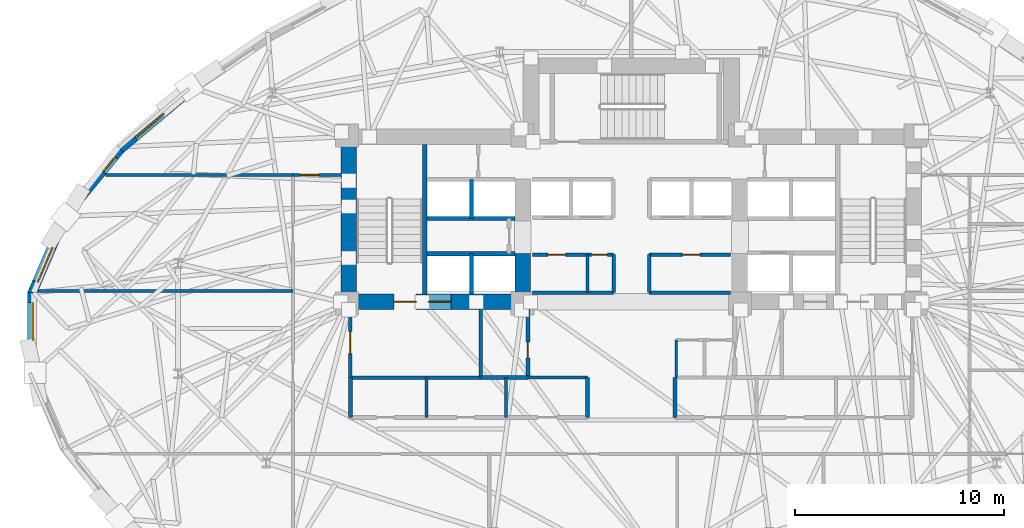
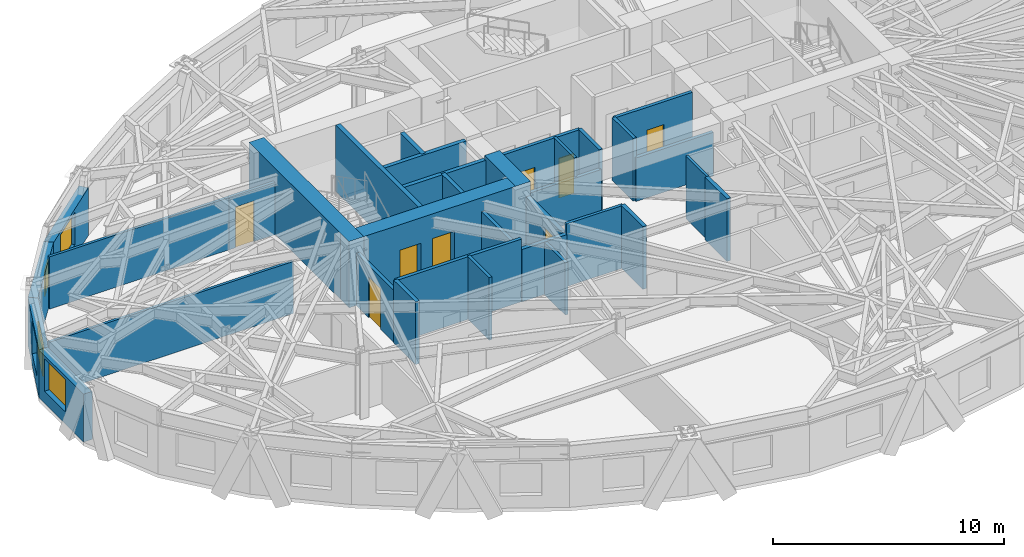
# One storey, part 7 of 14: 34 walls, 8 doors, 4 windows, 12 openings.
"""IFC4 building model written with IfcOpenShell, lengths in metres."""

from ifc_helpers import new_model, si_unit, direction, frame, frame_2d, origin, place, context, subcontext, project, spatial, rectangle, extrude, material, layer, layer_set, type_object, element, fill, save


model = new_model("IFC4")

# Units and contexts
model_context = context("Model", 3, precision=1e-05, world=origin(), true_north=direction((0.0, 1.0)))
body_context = subcontext(model_context, "Body", "Model", "MODEL_VIEW")
ifc_project = project(units=[si_unit("LENGTHUNIT", "METRE"), si_unit("AREAUNIT", "SQUARE_METRE"), si_unit("VOLUMEUNIT", "CUBIC_METRE"), si_unit("PLANEANGLEUNIT", "RADIAN"), si_unit("MASSUNIT", "GRAM", prefix="KILO")], contexts=[model_context])

# Site, building, storey
site_placement = place(None, origin())
site = spatial("IfcSite", under=ifc_project, at=site_placement, CompositionType="ELEMENT")
building_placement = place(site_placement, origin())
building = spatial("IfcBuilding", under=site, at=building_placement, Name="Keldmark Tower", CompositionType="ELEMENT")
storey_placement = place(building_placement, frame((0.0, 0.0, 89.60009765625)))
storey = spatial("IfcBuildingStorey", under=building, at=storey_placement, Name="L23", CompositionType="ELEMENT", Elevation=89.60009765625)

# Wall, opening, door
ifc_material_1 = material(Name="Acoustic Double-Layer Gypsum Corridor Partition", Category="gypsum")
ifc_layer_1 = layer(ifc_material_1, 0.139892578125)
ifc_layer_set_1 = layer_set([ifc_layer_1], Name="Acoustic Double-Layer Gypsum Corridor Partition")
wall_type_1 = type_object("IfcWallType", Name="Acoustic Corridor Partition 140 mm", PredefinedType="PARTITIONING", material=ifc_layer_set_1)
wall_1_placement = place(storey_placement, frame((-16.199951171875, 7.550048828125, 0.0), z_axis=(0.0, 0.0, 1.0), x_axis=(1.0, 0.0, 0.0)))
wall_1 = element("IfcWall", 1, at=wall_1_placement, inside=storey, type_object=wall_type_1, Name="L23 Acoustic Corridor Partition 140 mm COR-WN-CAP", PredefinedType="PARTITIONING", context=body_context, shape_type="SweptSolid", body=[
    extrude(rectangle(XDim=2.300048828125, YDim=0.139892578125, at=frame_2d((1.14990234375, 0.0))), origin(), (0.0, 0.0, 1.0), 2.762939453125),
])
opening_1_placement = place(wall_1_placement, frame((0.320068359375, 0.0, 0.0)))
opening_1 = element("IfcOpeningElement", 2, at=opening_1_placement, cuts=wall_1, Name="Opening D-EX092", PredefinedType="OPENING", context=body_context, shape_type="SweptSolid", body=[
    extrude(rectangle(XDim=0.919921875, YDim=2.14990234375, at=frame_2d((0.4599609375, 1.074951171875))), frame((0.0, 0.079833984375, 0.0), z_axis=(0.0, -1.0, 0.0), x_axis=(1.0, 0.0, 0.0)), (0.0, 0.0, 1.0), 0.159912109375),
])
ifc_material_2 = material(Name="Flush American Ash Executive Office Door", Category="wood")
door_type_1 = type_object("IfcDoorType", Name="Executive Office Door 920x2150", OperationType="NOTDEFINED", PredefinedType="DOOR", material=ifc_material_2)
door_1_placement = place(opening_1_placement, origin())
door_1 = element("IfcDoor", 3, at=door_1_placement, inside=storey, type_object=door_type_1, Name="L23 Executive Office Door 920x2150 D-NRNW-L23", OperationType="SINGLE_SWING_LEFT", OverallHeight=2.14990234375, OverallWidth=0.919921875, PredefinedType="DOOR", context=body_context, shape_type="SweptSolid", body=[
    extrude(rectangle(XDim=0.919921875, YDim=2.14990234375, at=frame_2d((0.4599609375, 1.074951171875))), frame((0.0, 0.02490234375, 0.0), z_axis=(0.0, -1.0, 0.0), x_axis=(1.0, 0.0, 0.0)), (0.0, 0.0, 1.0), 0.050048828125),
])
fill(opening_1, door_1)

# Walls
ifc_material_3 = material(Name="Heavy Acoustic Plumbing Chase Gypsum Assembly", Category="gypsum")
ifc_layer_2 = layer(ifc_material_3, 0.18994140625)
ifc_layer_set_2 = layer_set([ifc_layer_2], Name="Heavy Acoustic Plumbing Chase Gypsum Assembly")
wall_type_2 = type_object("IfcWallType", Name="Heavy Wet Wall 190 mm", PredefinedType="PLUMBINGWALL", material=ifc_layer_set_2)
for number, where, z_axis, x_axis, name in (
    (4, (-13.449951171875, -4.050048828125, 0.0), (0.0, 0.0, 1.0), (0.0, 1.0, 0.0), "L23 Heavy Wet Wall 190 mm SPK-W-W"),
    (5, (-2.10009765625, -4.050048828125, 0.0), (0.0, 0.0, 1.0), (0.0, 1.0, 0.0), "L23 Heavy Wet Wall 190 mm SPK-W-E"),
    (6, (2.10009765625, -4.050048828125, 0.0), (0.0, 0.0, 1.0), (0.0, 1.0, 0.0), "L23 Heavy Wet Wall 190 mm SPK-E-W"),
):
    element("IfcWall", number, at=place(storey_placement, frame(where, z_axis=z_axis, x_axis=x_axis)), inside=storey, type_object=wall_type_2, Name=name, PredefinedType="PLUMBINGWALL", context=body_context, shape_type="SweptSolid", body=[
        extrude(rectangle(XDim=1.900146484375, YDim=0.18994140625, at=frame_2d((0.9501953125, 0.0))), origin(), (0.0, 0.0, 1.0), 3.309814453125),
    ])
ifc_material_4 = material(Name="Acoustic Gypsum Board Interior Partition", Category="gypsum")
ifc_layer_3 = layer(ifc_material_4, 0.1298828125)
ifc_layer_set_3 = layer_set([ifc_layer_3], Name="Acoustic Gypsum Board Interior Partition")
wall_type_3 = type_object("IfcWallType", Name="Interior Partition 130 mm", PredefinedType="PARTITIONING", material=ifc_layer_set_3)
wall_2_placement = place(storey_placement, frame((2.14990234375, -2.14990234375, 0.0), z_axis=(0.0, 0.0, 1.0), x_axis=(0.0, 1.0, 0.0)))
element("IfcWall", 7, at=wall_2_placement, inside=storey, type_object=wall_type_3, Name="L23 Interior Partition 130 mm CSC-E-W", PredefinedType="PARTITIONING", context=body_context, shape_type="SweptSolid", body=[
    extrude(rectangle(XDim=1.7998046875, YDim=0.1298828125, at=frame_2d((0.89990234375, 0.0))), origin(), (0.0, 0.0, 1.0), 3.309814453125),
])
wall_3_placement = place(storey_placement, frame((-2.10009765625, 1.919921875, 0.0), z_axis=(0.0, 0.0, 1.0), x_axis=(0.0, 1.0, 0.0)))
element("IfcWall", 8, at=wall_3_placement, inside=storey, type_object=wall_type_3, Name="L23 Interior Partition 130 mm REC-LW-M", PredefinedType="PARTITIONING", context=body_context, shape_type="SweptSolid", body=[
    extrude(rectangle(XDim=1.820068359375, YDim=0.1298828125, at=frame_2d((0.91015625, 0.0))), origin(), (0.0, 0.0, 1.0), 3.309814453125),
])
wall_4_placement = place(storey_placement, frame((-25.177978515625, 7.550048828125, 0.0), z_axis=(0.0, 0.0, 1.0), x_axis=(1.0, 0.0, 0.0)))
element("IfcWall", 9, at=wall_4_placement, inside=storey, type_object=wall_type_3, Name="L23 Interior Partition 130 mm W-CAP-N", PredefinedType="PARTITIONING", context=body_context, shape_type="SweptSolid", body=[
    extrude(rectangle(XDim=8.97802734375, YDim=0.1298828125, at=frame_2d((4.489013671875, 0.0))), origin(), (0.0, 0.0, 1.0), 2.762939453125),
])
wall_5_placement = place(storey_placement, frame((-28.392333984375, 2.0, 0.0), z_axis=(0.0, 0.0, 1.0), x_axis=(1.0, 0.0, 0.0)))
element("IfcWall", 10, at=wall_5_placement, inside=storey, type_object=wall_type_3, Name="L23 Interior Partition 130 mm W-DIV-1", PredefinedType="PARTITIONING", context=body_context, shape_type="SweptSolid", body=[
    extrude(rectangle(XDim=12.1923828125, YDim=0.1298828125, at=frame_2d((6.09619140625, 0.0))), origin(), (0.0, 0.0, 1.0), 2.7509765625),
])
ifc_material_5 = material(Name="Concrete C70/85", Category="concrete")
ifc_layer_4 = layer(ifc_material_5, 0.75)
ifc_layer_set_4 = layer_set([ifc_layer_4], Name="Concrete C70/85")
wall_type_4 = type_object("IfcWallType", Name="Low-Mid Core Shear Wall 750 mm", PredefinedType="SHEAR", material=ifc_layer_set_4)
wall_6_placement = place(storey_placement, frame((-13.52490234375, 1.10009765625, 0.0), z_axis=(0.0, 0.0, 1.0), x_axis=(0.0, 1.0, 0.0)))
element("IfcWall", 11, at=wall_6_placement, inside=storey, type_object=wall_type_4, Name="L23 West Core Outer Shear Wall", PredefinedType="SHEAR", context=body_context, shape_type="SweptSolid", body=[
    extrude(rectangle(XDim=8.64990234375, YDim=0.75, at=frame_2d((4.324951171875, 0.0))), origin(), (0.0, 0.0, 1.0), 3.5),
])

# Wall, openings, doors
wall_7_placement = place(storey_placement, frame((-4.824951171875, 1.47509765625, 0.0), z_axis=(0.0, 0.0, 1.0), x_axis=(-1.0, 0.0, 0.0)))
wall_7 = element("IfcWall", 12, at=wall_7_placement, inside=storey, type_object=wall_type_4, Name="L23 West Core South Shear Wall", PredefinedType="SHEAR", context=body_context, shape_type="SweptSolid", body=[
    extrude(rectangle(XDim=9.074951171875, YDim=0.75, at=frame_2d((4.53759765625, 0.0))), origin(), (0.0, 0.0, 1.0), 3.5),
])
opening_2_placement = place(wall_7_placement, frame((5.47509765625, 0.0, 0.0)))
opening_2 = element("IfcOpeningElement", 13, at=opening_2_placement, cuts=wall_7, Name="Opening D-ST105", PredefinedType="OPENING", context=body_context, shape_type="SweptSolid", body=[
    extrude(rectangle(XDim=1.050048828125, YDim=2.14990234375, at=frame_2d((0.52490234375, 1.074951171875))), frame((0.0, 0.385009765625, 0.0), z_axis=(0.0, -1.0, 0.0), x_axis=(1.0, 0.0, 0.0)), (0.0, 0.0, 1.0), 0.77001953125),
])
opening_3_placement = place(wall_7_placement, frame((3.804931640625, 0.0, 0.0)))
opening_3 = element("IfcOpeningElement", 14, at=opening_3_placement, cuts=wall_7, Name="Opening LD-110", PredefinedType="OPENING", context=body_context, shape_type="SweptSolid", body=[
    extrude(rectangle(XDim=1.10009765625, YDim=2.199951171875, at=frame_2d((0.550048828125, 1.10009765625))), frame((0.0, 0.385009765625, 0.0), z_axis=(0.0, -1.0, 0.0), x_axis=(1.0, 0.0, 0.0)), (0.0, 0.0, 1.0), 0.77001953125),
])
ifc_material_6 = material(Name="Brushed Bronze Hoistway Sliding Leaf", Category="metal")
door_type_2 = type_object("IfcDoorType", Name="Lift Landing Sliding Door 1100x2200", OperationType="SLIDING_TO_LEFT", PredefinedType="DOOR", material=ifc_material_6)
door_2_placement = place(opening_3_placement, origin())
door_2 = element("IfcDoor", 15, at=door_2_placement, inside=storey, type_object=door_type_2, Name="L23 Lift Landing Sliding Door 1100x2200 LD-EL-FS1-L23", OperationType="SLIDING_TO_LEFT", OverallHeight=2.199951171875, OverallWidth=1.10009765625, PredefinedType="DOOR", context=body_context, shape_type="SweptSolid", body=[
    extrude(rectangle(XDim=1.10009765625, YDim=2.199951171875, at=frame_2d((0.550048828125, 1.10009765625))), frame((0.0, 0.02490234375, 0.0), z_axis=(0.0, -1.0, 0.0), x_axis=(1.0, 0.0, 0.0)), (0.0, 0.0, 1.0), 0.050048828125),
])
fill(opening_3, door_2)
ifc_material_7 = material(Name="Hollow Metal Fire-Rated Door Assembly", Category="metal")
door_type_3 = type_object("IfcDoorType", Name="Stair Fire Door 1050x2150", OperationType="NOTDEFINED", PredefinedType="DOOR", material=ifc_material_7)
door_3_placement = place(opening_2_placement, origin())
door_3 = element("IfcDoor", 16, at=door_3_placement, inside=storey, type_object=door_type_3, Name="L23 Stair Fire Door 1050x2150 D-ST1-L23", OperationType="SINGLE_SWING_RIGHT", OverallHeight=2.14990234375, OverallWidth=1.050048828125, PredefinedType="DOOR", context=body_context, shape_type="SweptSolid", body=[
    extrude(rectangle(XDim=1.050048828125, YDim=2.14990234375, at=frame_2d((0.52490234375, 1.074951171875))), frame((0.0, 0.02490234375, 0.0), z_axis=(0.0, -1.0, 0.0), x_axis=(1.0, 0.0, 0.0)), (0.0, 0.0, 1.0), 0.050048828125),
])
fill(opening_2, door_3)

# Walls
wall_8_placement = place(storey_placement, frame((-5.199951171875, 1.10009765625, 0.0), z_axis=(0.0, 0.0, 1.0), x_axis=(0.0, 1.0, 0.0)))
element("IfcWall", 17, at=wall_8_placement, inside=storey, type_object=wall_type_4, Name="L23 West Core Inner Shear Pier South", PredefinedType="SHEAR", context=body_context, shape_type="SweptSolid", body=[
    extrude(rectangle(XDim=2.699951171875, YDim=0.75, at=frame_2d((1.35009765625, 0.0))), origin(), (0.0, 0.0, 1.0), 3.5),
])
ifc_material_8 = material(Name="Type X Fire-Rated Gypsum Partition Assembly", Category="gypsum")
ifc_layer_5 = layer(ifc_material_8, 0.1650390625)
ifc_layer_set_5 = layer_set([ifc_layer_5], Name="Type X Fire-Rated Gypsum Partition Assembly")
wall_type_5 = type_object("IfcWallType", Name="Rated Partition 165 mm", PredefinedType="PARTITIONING", material=ifc_layer_set_5)
wall_9_placement = place(storey_placement, frame((-13.449951171875, -2.14990234375, 0.0), z_axis=(0.0, 0.0, 1.0), x_axis=(1.0, 0.0, 0.0)))
element("IfcWall", 18, at=wall_9_placement, inside=storey, type_object=wall_type_5, Name="L23 Rated Partition 165 mm FSAE-W-S", PredefinedType="PARTITIONING", context=body_context, shape_type="SweptSolid", body=[
    extrude(rectangle(XDim=6.25, YDim=0.1650390625, at=frame_2d((3.125, 0.0))), origin(), (0.0, 0.0, 1.0), 3.309814453125),
])

# Wall, opening, door
wall_10_placement = place(storey_placement, frame((-13.449951171875, -2.14990234375, 0.0), z_axis=(0.0, 0.0, 1.0), x_axis=(0.0, 1.0, 0.0)))
wall_10 = element("IfcWall", 19, at=wall_10_placement, inside=storey, type_object=wall_type_5, Name="L23 Rated Partition 165 mm FSAE-W-W", PredefinedType="PARTITIONING", context=body_context, shape_type="SweptSolid", body=[
    extrude(rectangle(XDim=3.2998046875, YDim=0.1650390625, at=frame_2d((1.64990234375, 0.0))), origin(), (0.0, 0.0, 1.0), 2.762939453125),
])
opening_4_placement = place(wall_10_placement, frame((1.14990234375, 0.0, 0.0)))
opening_4 = element("IfcOpeningElement", 20, at=opening_4_placement, cuts=wall_10, Name="Opening D-FL105", PredefinedType="OPENING", context=body_context, shape_type="SweptSolid", body=[
    extrude(rectangle(XDim=1.050048828125, YDim=2.14990234375, at=frame_2d((0.52490234375, 1.074951171875))), frame((0.0, 0.092529296875, 0.0), z_axis=(0.0, -1.0, 0.0), x_axis=(1.0, 0.0, 0.0)), (0.0, 0.0, 1.0), 0.18505859375),
])
ifc_material_9 = material(Name="Fire-Rated Mineral-Core Door and Vision Lite", Category="metal")
door_type_4 = type_object("IfcDoorType", Name="Fire Lobby Door 1050x2150", OperationType="NOTDEFINED", PredefinedType="DOOR", material=ifc_material_9)
door_4_placement = place(opening_4_placement, origin())
door_4 = element("IfcDoor", 21, at=door_4_placement, inside=storey, type_object=door_type_4, Name="L23 Fire Lobby Door 1050x2150 D-FSAEW-OUT-L23", OperationType="SINGLE_SWING_LEFT", OverallHeight=2.14990234375, OverallWidth=1.050048828125, PredefinedType="DOOR", context=body_context, shape_type="SweptSolid", body=[
    extrude(rectangle(XDim=1.050048828125, YDim=2.14990234375, at=frame_2d((0.52490234375, 1.074951171875))), frame((0.0, 0.02490234375, 0.0), z_axis=(0.0, -1.0, 0.0), x_axis=(1.0, 0.0, 0.0)), (0.0, 0.0, 1.0), 0.050048828125),
])
fill(opening_4, door_4)

# Walls
wall_11_placement = place(storey_placement, frame((-7.199951171875, -2.14990234375, 0.0), z_axis=(0.0, 0.0, 1.0), x_axis=(0.0, 1.0, 0.0)))
element("IfcWall", 22, at=wall_11_placement, inside=storey, type_object=wall_type_5, Name="L23 Rated Partition 165 mm FSAE-W-E", PredefinedType="PARTITIONING", context=body_context, shape_type="SweptSolid", body=[
    extrude(rectangle(XDim=3.2998046875, YDim=0.1650390625, at=frame_2d((1.64990234375, 0.0))), origin(), (0.0, 0.0, 1.0), 2.762939453125),
])
wall_12_placement = place(storey_placement, frame((-4.739990234375, 1.919921875, 0.0), z_axis=(0.0, 0.0, 1.0), x_axis=(1.0, 0.0, 0.0)))
element("IfcWall", 23, at=wall_12_placement, inside=storey, type_object=wall_type_5, Name="L23 Rated Partition 165 mm REC-LW-S", PredefinedType="PARTITIONING", context=body_context, shape_type="SweptSolid", body=[
    extrude(rectangle(XDim=3.889892578125, YDim=0.1650390625, at=frame_2d((1.94482421875, 0.0))), origin(), (0.0, 0.0, 1.0), 2.2998046875),
])

# Wall, openings, doors
wall_13_placement = place(storey_placement, frame((-4.739990234375, 3.739990234375, 0.0), z_axis=(0.0, 0.0, 1.0), x_axis=(1.0, 0.0, 0.0)))
wall_13 = element("IfcWall", 24, at=wall_13_placement, inside=storey, type_object=wall_type_5, Name="L23 Rated Partition 165 mm REC-LW-N", PredefinedType="PARTITIONING", context=body_context, shape_type="SweptSolid", body=[
    extrude(rectangle(XDim=3.889892578125, YDim=0.1650390625, at=frame_2d((1.94482421875, 0.0))), origin(), (0.0, 0.0, 1.0), 3.309814453125),
])
opening_5_placement = place(wall_13_placement, frame((0.75, 0.0, 0.0)))
opening_5 = element("IfcOpeningElement", 25, at=opening_5_placement, cuts=wall_13, Name="Opening D-SV085", PredefinedType="OPENING", context=body_context, shape_type="SweptSolid", body=[
    extrude(rectangle(XDim=0.85009765625, YDim=2.10009765625, at=frame_2d((0.425048828125, 1.050048828125))), frame((0.0, 0.092529296875, 0.0), z_axis=(0.0, -1.0, 0.0), x_axis=(1.0, 0.0, 0.0)), (0.0, 0.0, 1.0), 0.18505859375),
])
opening_6_placement = place(wall_13_placement, frame((2.840087890625, 0.0, 0.0)))
opening_6 = element("IfcOpeningElement", 26, at=opening_6_placement, cuts=wall_13, Name="Opening D-RS075", PredefinedType="OPENING", context=body_context, shape_type="SweptSolid", body=[
    extrude(rectangle(XDim=0.75, YDim=2.10009765625, at=frame_2d((0.375, 1.050048828125))), frame((0.0, 0.092529296875, 0.0), z_axis=(0.0, -1.0, 0.0), x_axis=(1.0, 0.0, 0.0)), (0.0, 0.0, 1.0), 0.18505859375),
])
ifc_material_10 = material(Name="Galvanized Fire-Rated Access Leaf", Category="metal")
door_type_5 = type_object("IfcDoorType", Name="Riser Access Door 750x2100", OperationType="NOTDEFINED", PredefinedType="DOOR", material=ifc_material_10)
door_5_placement = place(opening_6_placement, origin())
door_5 = element("IfcDoor", 27, at=door_5_placement, inside=storey, type_object=door_type_5, Name="L23 Riser Access Door 750x2100 D-RECLW2-L23", OperationType="SINGLE_SWING_RIGHT", OverallHeight=2.10009765625, OverallWidth=0.75, PredefinedType="DOOR", context=body_context, shape_type="SweptSolid", body=[
    extrude(rectangle(XDim=0.75, YDim=2.10009765625, at=frame_2d((0.375, 1.050048828125))), frame((0.0, 0.02490234375, 0.0), z_axis=(0.0, -1.0, 0.0), x_axis=(1.0, 0.0, 0.0)), (0.0, 0.0, 1.0), 0.050048828125),
])
fill(opening_6, door_5)
ifc_material_11 = material(Name="Painted Hollow Metal Door Assembly", Category="metal")
door_type_6 = type_object("IfcDoorType", Name="Service Door 850x2100", OperationType="NOTDEFINED", PredefinedType="DOOR", material=ifc_material_11)
door_6_placement = place(opening_5_placement, origin())
door_6 = element("IfcDoor", 28, at=door_6_placement, inside=storey, type_object=door_type_6, Name="L23 Service Door 850x2100 D-RECLW1-L23", OperationType="SINGLE_SWING_LEFT", OverallHeight=2.10009765625, OverallWidth=0.85009765625, PredefinedType="DOOR", context=body_context, shape_type="SweptSolid", body=[
    extrude(rectangle(XDim=0.85009765625, YDim=2.10009765625, at=frame_2d((0.425048828125, 1.050048828125))), frame((0.0, 0.02490234375, 0.0), z_axis=(0.0, -1.0, 0.0), x_axis=(1.0, 0.0, 0.0)), (0.0, 0.0, 1.0), 0.050048828125),
])
fill(opening_5, door_6)

# Walls
wall_14_placement = place(storey_placement, frame((-0.85009765625, 1.919921875, 0.0), z_axis=(0.0, 0.0, 1.0), x_axis=(0.0, 1.0, 0.0)))
element("IfcWall", 29, at=wall_14_placement, inside=storey, type_object=wall_type_5, Name="L23 Rated Partition 165 mm REC-LW-E", PredefinedType="PARTITIONING", context=body_context, shape_type="SweptSolid", body=[
    extrude(rectangle(XDim=1.820068359375, YDim=0.1650390625, at=frame_2d((0.91015625, 0.0))), origin(), (0.0, 0.0, 1.0), 3.309814453125),
])
wall_15_placement = place(storey_placement, frame((0.85009765625, 1.919921875, 0.0), z_axis=(0.0, 0.0, 1.0), x_axis=(1.0, 0.0, 0.0)))
element("IfcWall", 30, at=wall_15_placement, inside=storey, type_object=wall_type_5, Name="L23 Rated Partition 165 mm REC-LE-S", PredefinedType="PARTITIONING", context=body_context, shape_type="SweptSolid", body=[
    extrude(rectangle(XDim=3.889892578125, YDim=0.1650390625, at=frame_2d((1.94482421875, 0.0))), origin(), (0.0, 0.0, 1.0), 2.2998046875),
])

# Wall, opening, door
wall_16_placement = place(storey_placement, frame((0.85009765625, 3.739990234375, 0.0), z_axis=(0.0, 0.0, 1.0), x_axis=(1.0, 0.0, 0.0)))
wall_16 = element("IfcWall", 31, at=wall_16_placement, inside=storey, type_object=wall_type_5, Name="L23 Rated Partition 165 mm REC-LE-N", PredefinedType="PARTITIONING", context=body_context, shape_type="SweptSolid", body=[
    extrude(rectangle(XDim=3.889892578125, YDim=0.1650390625, at=frame_2d((1.94482421875, 0.0))), origin(), (0.0, 0.0, 1.0), 3.309814453125),
])
opening_7_placement = place(wall_16_placement, frame((1.60009765625, 0.0, 0.0)))
opening_7 = element("IfcOpeningElement", 32, at=opening_7_placement, cuts=wall_16, Name="Opening D-SV085", PredefinedType="OPENING", context=body_context, shape_type="SweptSolid", body=[
    extrude(rectangle(XDim=0.85009765625, YDim=2.10009765625, at=frame_2d((0.425048828125, 1.050048828125))), frame((0.0, 0.092529296875, 0.0), z_axis=(0.0, -1.0, 0.0), x_axis=(1.0, 0.0, 0.0)), (0.0, 0.0, 1.0), 0.18505859375),
])
door_7_placement = place(opening_7_placement, origin())
door_7 = element("IfcDoor", 33, at=door_7_placement, inside=storey, type_object=door_type_6, Name="L23 Service Door 850x2100 D-RECLE1-L23", OperationType="SINGLE_SWING_LEFT", OverallHeight=2.10009765625, OverallWidth=0.85009765625, PredefinedType="DOOR", context=body_context, shape_type="SweptSolid", body=[
    extrude(rectangle(XDim=0.85009765625, YDim=2.10009765625, at=frame_2d((0.425048828125, 1.050048828125))), frame((0.0, 0.02490234375, 0.0), z_axis=(0.0, -1.0, 0.0), x_axis=(1.0, 0.0, 0.0)), (0.0, 0.0, 1.0), 0.050048828125),
])
fill(opening_7, door_7)

# Walls
wall_17_placement = place(storey_placement, frame((0.85009765625, 1.919921875, 0.0), z_axis=(0.0, 0.0, 1.0), x_axis=(0.0, 1.0, 0.0)))
element("IfcWall", 34, at=wall_17_placement, inside=storey, type_object=wall_type_5, Name="L23 Rated Partition 165 mm REC-LE-W", PredefinedType="PARTITIONING", context=body_context, shape_type="SweptSolid", body=[
    extrude(rectangle(XDim=1.820068359375, YDim=0.1650390625, at=frame_2d((0.91015625, 0.0))), origin(), (0.0, 0.0, 1.0), 3.309814453125),
])
ifc_material_12 = material(Name="Fire-Resistant Type X Gypsum Shaftliner Coreboard", Category="gypsum")
ifc_layer_6 = layer(ifc_material_12, 0.199951171875)
ifc_layer_set_6 = layer_set([ifc_layer_6], Name="Fire-Resistant Type X Gypsum Shaftliner Coreboard")
wall_type_6 = type_object("IfcWallType", Name="Shaft Wall 200 mm", PredefinedType="SOLIDWALL", material=ifc_layer_set_6)
wall_18_placement = place(storey_placement, frame((-7.199951171875, -2.14990234375, 0.0), z_axis=(0.0, 0.0, 1.0), x_axis=(1.0, 0.0, 0.0)))
element("IfcWall", 35, at=wall_18_placement, inside=storey, type_object=wall_type_6, Name="L23 Shaft Wall 200 mm RIS-SW-S", PredefinedType="SOLIDWALL", context=body_context, shape_type="SweptSolid", body=[
    extrude(rectangle(XDim=2.25, YDim=0.199951171875, at=frame_2d((1.125, 0.0))), origin(), (0.0, 0.0, 1.0), 2.762939453125),
])

# Wall, opening, door
wall_19_placement = place(storey_placement, frame((-4.949951171875, -2.14990234375, 0.0), z_axis=(0.0, 0.0, 1.0), x_axis=(0.0, 1.0, 0.0)))
wall_19 = element("IfcWall", 36, at=wall_19_placement, inside=storey, type_object=wall_type_6, Name="L23 Shaft Wall 200 mm RIS-SW-E", PredefinedType="SOLIDWALL", context=body_context, shape_type="SweptSolid", body=[
    extrude(rectangle(XDim=3.2998046875, YDim=0.199951171875, at=frame_2d((1.64990234375, 0.0))), origin(), (0.0, 0.0, 1.0), 2.762939453125),
])
opening_8_placement = place(wall_19_placement, frame((0.949951171875, 0.0, 0.0)))
opening_8 = element("IfcOpeningElement", 37, at=opening_8_placement, cuts=wall_19, Name="Opening D-RS075", PredefinedType="OPENING", context=body_context, shape_type="SweptSolid", body=[
    extrude(rectangle(XDim=0.75, YDim=2.10009765625, at=frame_2d((0.375, 1.050048828125))), frame((0.0, 0.10986328125, 0.0), z_axis=(0.0, -1.0, 0.0), x_axis=(1.0, 0.0, 0.0)), (0.0, 0.0, 1.0), 0.219970703125),
])
door_8_placement = place(opening_8_placement, origin())
door_8 = element("IfcDoor", 38, at=door_8_placement, inside=storey, type_object=door_type_5, Name="L23 Riser Access Door 750x2100 D-RISSW-L23", OperationType="SINGLE_SWING_RIGHT", OverallHeight=2.10009765625, OverallWidth=0.75, PredefinedType="DOOR", context=body_context, shape_type="SweptSolid", body=[
    extrude(rectangle(XDim=0.75, YDim=2.10009765625, at=frame_2d((0.375, 1.050048828125))), frame((0.0, 0.02490234375, 0.0), z_axis=(0.0, -1.0, 0.0), x_axis=(1.0, 0.0, 0.0)), (0.0, 0.0, 1.0), 0.050048828125),
])
fill(opening_8, door_8)

# Walls
wall_20_placement = place(storey_placement, frame((-9.780029296875, 3.780029296875, 0.0), z_axis=(0.0, 0.0, 1.0), x_axis=(1.0, 0.0, 0.0)))
element("IfcWall", 39, at=wall_20_placement, inside=storey, type_object=wall_type_6, Name="L23 Shaft Wall 200 mm HW-W-S", PredefinedType="SOLIDWALL", context=body_context, shape_type="SweptSolid", body=[
    extrude(rectangle(XDim=4.205078125, YDim=0.199951171875, at=frame_2d((2.1025390625, 0.0))), origin(), (0.0, 0.0, 1.0), 3.309814453125),
])
wall_21_placement = place(storey_placement, frame((-7.64990234375, 1.85009765625, 0.0), z_axis=(0.0, 0.0, 1.0), x_axis=(0.0, 1.0, 0.0)))
element("IfcWall", 40, at=wall_21_placement, inside=storey, type_object=wall_type_6, Name="L23 Shaft Wall 200 mm HW-W-M", PredefinedType="SOLIDWALL", context=body_context, shape_type="SweptSolid", body=[
    extrude(rectangle(XDim=1.929931640625, YDim=0.199951171875, at=frame_2d((0.96484375, 0.0))), origin(), (0.0, 0.0, 1.0), 3.309814453125),
])
wall_22_placement = place(storey_placement, frame((-9.780029296875, 5.469970703125, 0.0), z_axis=(0.0, 0.0, 1.0), x_axis=(1.0, 0.0, 0.0)))
element("IfcWall", 41, at=wall_22_placement, inside=storey, type_object=wall_type_6, Name="L23 Shaft Wall 200 mm HW-W-N", PredefinedType="SOLIDWALL", context=body_context, shape_type="SweptSolid", body=[
    extrude(rectangle(XDim=4.205078125, YDim=0.199951171875, at=frame_2d((2.1025390625, 0.0))), origin(), (0.0, 0.0, 1.0), 3.309814453125),
])
wall_23_placement = place(storey_placement, frame((-7.64990234375, 5.469970703125, 0.0), z_axis=(0.0, 0.0, 1.0), x_axis=(0.0, 1.0, 0.0)))
element("IfcWall", 42, at=wall_23_placement, inside=storey, type_object=wall_type_6, Name="L23 Shaft Wall 200 mm HW-W-NM", PredefinedType="SOLIDWALL", context=body_context, shape_type="SweptSolid", body=[
    extrude(rectangle(XDim=1.860107421875, YDim=0.199951171875, at=frame_2d((0.93017578125, 0.0))), origin(), (0.0, 0.0, 1.0), 3.309814453125),
])
ifc_material_13 = material(Name="Concrete C50/60", Category="concrete")
ifc_layer_7 = layer(ifc_material_13, 0.219970703125)
ifc_layer_set_7 = layer_set([ifc_layer_7], Name="Concrete C50/60")
wall_type_7 = type_object("IfcWallType", Name="Stair Core Shear Wall 220 mm", PredefinedType="SHEAR", material=ifc_layer_set_7)
wall_24_placement = place(storey_placement, frame((-9.889892578125, 1.85009765625, 0.0), z_axis=(0.0, 0.0, 1.0), x_axis=(0.0, 1.0, 0.0)))
element("IfcWall", 43, at=wall_24_placement, inside=storey, type_object=wall_type_7, Name="L23 West Stair Core Shear Wall", PredefinedType="SHEAR", context=body_context, shape_type="SweptSolid", body=[
    extrude(rectangle(XDim=7.14990234375, YDim=0.219970703125, at=frame_2d((3.574951171875, 0.0))), origin(), (0.0, 0.0, 1.0), 3.5),
])

# Wall, opening, window
ifc_material_14 = material(Name="Ironspot Manganese Brick and Kasota Buff Limestone Spandrel Assembly", Category="masonry")
ifc_layer_8 = layer(ifc_material_14, 0.43994140625)
ifc_layer_set_8 = layer_set([ifc_layer_8], Name="Ironspot Manganese Brick and Kasota Buff Limestone Spandrel Assembly")
wall_type_8 = type_object("IfcWallType", Name="Tower Brick Pier and Spandrel Wall 440 mm", PredefinedType="STANDARD", material=ifc_layer_set_8)
wall_25_placement = place(storey_placement, frame((-24.493408203125, 8.757080078125, 0.0), z_axis=(0.0, 0.0, 1.0), x_axis=(0.765563867956, 0.643359902449, 0.0)))
wall_25 = element("IfcWall", 44, at=wall_25_placement, inside=storey, type_object=wall_type_8, Name="L23 Exterior Brick and Spandrel Wall 13", PredefinedType="STANDARD", context=body_context, shape_type="SweptSolid", body=[
    extrude(rectangle(XDim=4.468994140625, YDim=0.43994140625, at=frame_2d((2.234375, 0.0))), origin(), (0.0, 0.0, 1.0), 2.52783203125),
])
opening_9_placement = place(wall_25_placement, frame((0.93994140625, 0.0, 0.64990234375)))
opening_9 = element("IfcOpeningElement", 45, at=opening_9_placement, cuts=wall_25, Name="Opening W-02", PredefinedType="OPENING", context=body_context, shape_type="SweptSolid", body=[
    extrude(rectangle(XDim=1.800048828125, YDim=1.699951171875, at=frame_2d((0.89990234375, 0.85009765625))), frame((0.0, 0.22998046875, 0.0), z_axis=(0.0, -1.0, 0.0), x_axis=(1.0, 0.0, 0.0)), (0.0, 0.0, 1.0), 0.4599609375),
])
ifc_material_15 = material(Name="Thermally Broken Anodized Aluminum and Triple Low-E Argon Glazing", Category="aluminium")
window_type_1 = type_object("IfcWindowType", Name="Office Deep-Set Triple Window 1800x1700", PartitioningType="TRIPLE_PANEL_VERTICAL", PredefinedType="WINDOW", material=ifc_material_15)
window_1_placement = place(opening_9_placement, origin())
window_1 = element("IfcWindow", 46, at=window_1_placement, inside=storey, type_object=window_type_1, Name="L23 Deep-Set Window 13", OverallHeight=1.699951171875, OverallWidth=1.800048828125, PartitioningType="SINGLE_PANEL", PredefinedType="WINDOW", context=body_context, shape_type="SweptSolid", body=[
    extrude(rectangle(XDim=1.800048828125, YDim=1.699951171875, at=frame_2d((0.89990234375, 0.85009765625))), frame((0.0, -0.010009765625, 0.0), z_axis=(0.0, -1.0, 0.0), x_axis=(1.0, 0.0, 0.0)), (0.0, 0.0, 1.0), 0.06005859375),
])
fill(opening_9, window_1)

wall_26_placement = place(storey_placement, frame((-27.158935546875, 5.48046875, 0.0), z_axis=(0.0, 0.0, 1.0), x_axis=(0.631768505266, 0.775157116818, 0.0)))
wall_26 = element("IfcWall", 47, at=wall_26_placement, inside=storey, type_object=wall_type_8, Name="L23 Exterior Brick and Spandrel Wall 14", PredefinedType="STANDARD", context=body_context, shape_type="SweptSolid", body=[
    extrude(rectangle(XDim=4.26513671875, YDim=0.43994140625, at=frame_2d((2.132568359375, 0.0))), origin(), (0.0, 0.0, 1.0), 2.52783203125),
])
opening_10_placement = place(wall_26_placement, frame((2.91796875, 0.0, 0.580078125)))
opening_10 = element("IfcOpeningElement", 48, at=opening_10_placement, cuts=wall_26, Name="Opening W-09", PredefinedType="OPENING", context=body_context, shape_type="SweptSolid", body=[
    extrude(rectangle(XDim=0.89990234375, YDim=1.35009765625, at=frame_2d((0.449951171875, 0.675048828125))), frame((0.0, 0.22998046875, 0.0), z_axis=(0.0, -1.0, 0.0), x_axis=(1.0, 0.0, 0.0)), (0.0, 0.0, 1.0), 0.4599609375),
])
ifc_material_16 = material(Name="Thermally Broken Anodized Aluminum and Triple Low-E Argon Glazing", Category="aluminium")
window_type_2 = type_object("IfcWindowType", Name="Corner Pier Deep-Set Window 900x1350", PartitioningType="SINGLE_PANEL", PredefinedType="WINDOW", material=ifc_material_16)
window_2_placement = place(opening_10_placement, origin())
window_2 = element("IfcWindow", 49, at=window_2_placement, inside=storey, type_object=window_type_2, Name="L23 Deep-Set Window 14", OverallHeight=1.35009765625, OverallWidth=0.89990234375, PartitioningType="SINGLE_PANEL", PredefinedType="WINDOW", context=body_context, shape_type="SweptSolid", body=[
    extrude(rectangle(XDim=0.89990234375, YDim=1.35009765625, at=frame_2d((0.449951171875, 0.675048828125))), frame((0.0, -0.010009765625, 0.0), z_axis=(0.0, -1.0, 0.0), x_axis=(1.0, 0.0, 0.0)), (0.0, 0.0, 1.0), 0.06005859375),
])
fill(opening_10, window_2)

wall_27_placement = place(storey_placement, frame((-28.70751953125, 1.843505859375, 0.0), z_axis=(0.0, 0.0, 1.0), x_axis=(0.393757776232, 0.919214237083, 0.0)))
wall_27 = element("IfcWall", 50, at=wall_27_placement, inside=storey, type_object=wall_type_8, Name="L23 Exterior Brick and Spandrel Wall 15", PredefinedType="STANDARD", context=body_context, shape_type="SweptSolid", body=[
    extrude(rectangle(XDim=4.013427734375, YDim=0.43994140625, at=frame_2d((2.0068359375, 0.0))), origin(), (0.0, 0.0, 1.0), 2.52783203125),
])
opening_11_placement = place(wall_27_placement, frame((0.64111328125, 0.0, 0.64990234375)))
opening_11 = element("IfcOpeningElement", 51, at=opening_11_placement, cuts=wall_27, Name="Opening W-02", PredefinedType="OPENING", context=body_context, shape_type="SweptSolid", body=[
    extrude(rectangle(XDim=1.800048828125, YDim=1.699951171875, at=frame_2d((0.89990234375, 0.85009765625))), frame((0.0, 0.22998046875, 0.0), z_axis=(0.0, -1.0, 0.0), x_axis=(1.0, 0.0, 0.0)), (0.0, 0.0, 1.0), 0.4599609375),
])
window_3_placement = place(opening_11_placement, origin())
window_3 = element("IfcWindow", 52, at=window_3_placement, inside=storey, type_object=window_type_1, Name="L23 Deep-Set Window 15", OverallHeight=1.699951171875, OverallWidth=1.800048828125, PartitioningType="SINGLE_PANEL", PredefinedType="WINDOW", context=body_context, shape_type="SweptSolid", body=[
    extrude(rectangle(XDim=1.800048828125, YDim=1.699951171875, at=frame_2d((0.89990234375, 0.85009765625))), frame((0.0, -0.010009765625, 0.0), z_axis=(0.0, -1.0, 0.0), x_axis=(1.0, 0.0, 0.0)), (0.0, 0.0, 1.0), 0.06005859375),
])
fill(opening_11, window_3)

wall_28_placement = place(storey_placement, frame((-28.689697265625, -1.929931640625, 0.0), z_axis=(0.0, 0.0, 1.0), x_axis=(0.0, 1.0, 0.0)))
wall_28 = element("IfcWall", 53, at=wall_28_placement, inside=storey, type_object=wall_type_8, Name="L23 Exterior Brick and Spandrel Wall 16", PredefinedType="STANDARD", context=body_context, shape_type="SweptSolid", body=[
    extrude(rectangle(XDim=3.85986328125, YDim=0.43994140625, at=frame_2d((1.929931640625, 0.0))), origin(), (0.0, 0.0, 1.0), 2.52783203125),
])
opening_12_placement = place(wall_28_placement, frame((1.567138671875, 0.0, 0.64990234375)))
opening_12 = element("IfcOpeningElement", 54, at=opening_12_placement, cuts=wall_28, Name="Opening W-02", PredefinedType="OPENING", context=body_context, shape_type="SweptSolid", body=[
    extrude(rectangle(XDim=1.800048828125, YDim=1.699951171875, at=frame_2d((0.89990234375, 0.85009765625))), frame((0.0, 0.22998046875, 0.0), z_axis=(0.0, -1.0, 0.0), x_axis=(1.0, 0.0, 0.0)), (0.0, 0.0, 1.0), 0.4599609375),
])
window_4_placement = place(opening_12_placement, origin())
window_4 = element("IfcWindow", 55, at=window_4_placement, inside=storey, type_object=window_type_1, Name="L23 Deep-Set Window 16", OverallHeight=1.699951171875, OverallWidth=1.800048828125, PartitioningType="SINGLE_PANEL", PredefinedType="WINDOW", context=body_context, shape_type="SweptSolid", body=[
    extrude(rectangle(XDim=1.800048828125, YDim=1.699951171875, at=frame_2d((0.89990234375, 0.85009765625))), frame((0.0, -0.010009765625, 0.0), z_axis=(0.0, -1.0, 0.0), x_axis=(1.0, 0.0, 0.0)), (0.0, 0.0, 1.0), 0.06005859375),
])
fill(opening_12, window_4)

# Walls
ifc_material_17 = material(Name="Moisture-Resistant Gypsum Plumbing Partition", Category="gypsum")
ifc_layer_9 = layer(ifc_material_17, 0.14990234375)
ifc_layer_set_9 = layer_set([ifc_layer_9], Name="Moisture-Resistant Gypsum Plumbing Partition")
wall_type_9 = type_object("IfcWallType", Name="Wet Wall 150 mm", PredefinedType="PLUMBINGWALL", material=ifc_layer_set_9)
wall_29_placement = place(storey_placement, frame((-4.949951171875, -2.14990234375, 0.0), z_axis=(0.0, 0.0, 1.0), x_axis=(1.0, 0.0, 0.0)))
element("IfcWall", 56, at=wall_29_placement, inside=storey, type_object=wall_type_9, Name="L23 Wet Wall 150 mm SPK-W-N", PredefinedType="PLUMBINGWALL", context=body_context, shape_type="SweptSolid", body=[
    extrude(rectangle(XDim=2.849853515625, YDim=0.14990234375, at=frame_2d((1.4248046875, 0.0))), origin(), (0.0, 0.0, 1.0), 3.309814453125),
])
wall_30_placement = place(storey_placement, frame((-9.800048828125, -4.050048828125, 0.0), z_axis=(0.0, 0.0, 1.0), x_axis=(0.0, 1.0, 0.0)))
element("IfcWall", 57, at=wall_30_placement, inside=storey, type_object=wall_type_9, Name="L23 Wet Wall 150 mm SPK-W-D1", PredefinedType="PLUMBINGWALL", context=body_context, shape_type="SweptSolid", body=[
    extrude(rectangle(XDim=1.900146484375, YDim=0.14990234375, at=frame_2d((0.9501953125, 0.0))), origin(), (0.0, 0.0, 1.0), 3.309814453125),
])
wall_31_placement = place(storey_placement, frame((-6.0, -4.050048828125, 0.0), z_axis=(0.0, 0.0, 1.0), x_axis=(0.0, 1.0, 0.0)))
element("IfcWall", 58, at=wall_31_placement, inside=storey, type_object=wall_type_9, Name="L23 Wet Wall 150 mm SPK-W-D2", PredefinedType="PLUMBINGWALL", context=body_context, shape_type="SweptSolid", body=[
    extrude(rectangle(XDim=1.900146484375, YDim=0.14990234375, at=frame_2d((0.9501953125, 0.0))), origin(), (0.0, 0.0, 1.0), 2.7509765625),
])

save(model, "model.ifc")
